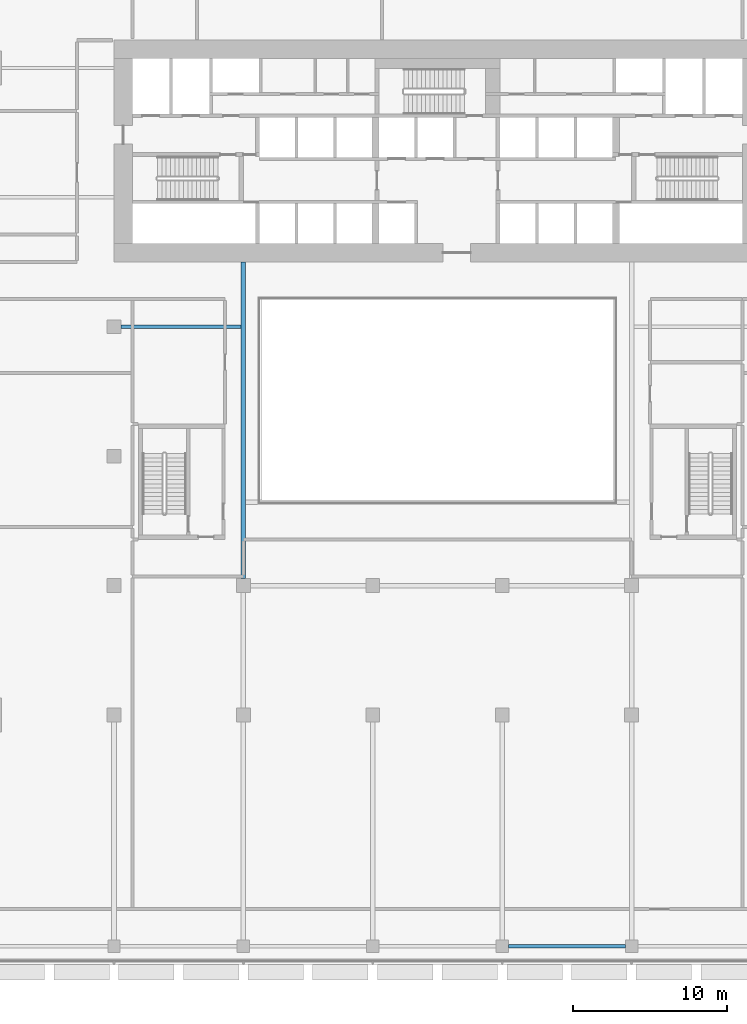
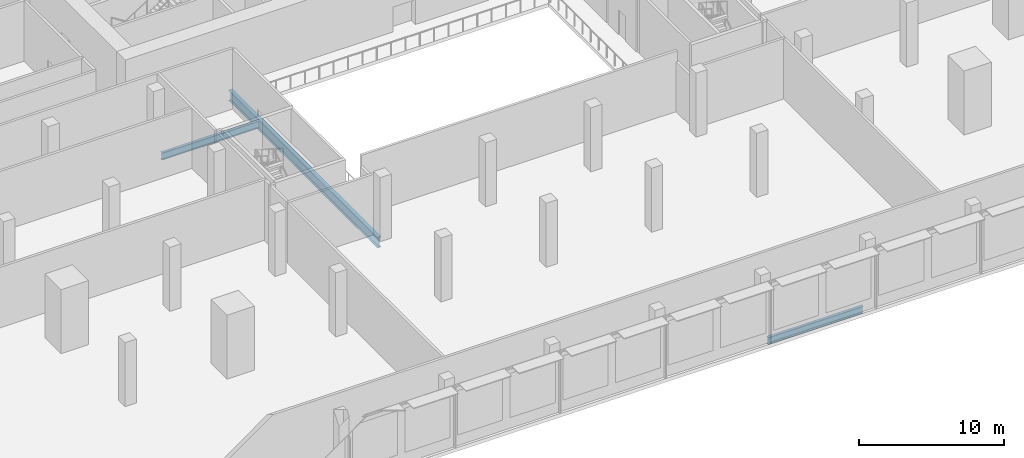
# One storey, part 10 of 39: 3 beams.
"""IFC4 building model written with IfcOpenShell, lengths in metres."""

from ifc_helpers import new_model, si_unit, direction, frame, origin, origin_2d, place, context, subcontext, project, spatial, i_section, extrude, material, material_profile, profile_set, type_object, element, save


model = new_model("IFC4")

# Units and contexts
model_context = context("Model", 3, precision=1e-05, world=origin(), true_north=direction((0.0, 1.0)))
body_context = subcontext(model_context, "Body", "Model", "MODEL_VIEW")
ifc_project = project(units=[si_unit("LENGTHUNIT", "METRE"), si_unit("AREAUNIT", "SQUARE_METRE"), si_unit("VOLUMEUNIT", "CUBIC_METRE"), si_unit("PLANEANGLEUNIT", "RADIAN"), si_unit("MASSUNIT", "GRAM", prefix="KILO")], contexts=[model_context])

# Site, building, storey
site_placement = place(None, origin())
site = spatial("IfcSite", under=ifc_project, at=site_placement, CompositionType="ELEMENT")
building_placement = place(site_placement, origin())
building = spatial("IfcBuilding", under=site, at=building_placement, Name="Saffron Gate Tower", CompositionType="ELEMENT")
storey_placement = place(building_placement, frame((0.0, 0.0, 9.0)))
storey = spatial("IfcBuildingStorey", under=building, at=storey_placement, Name="L01", CompositionType="ELEMENT", Elevation=9.0)

# Beams
ifc_material = material(Name="Structural steel S355", Category="steel")
ifc_material_profile_1 = material_profile(ifc_material, i_section(OverallWidth=0.219970703125, OverallDepth=0.60009765625, WebThickness=0.011962890625, FlangeThickness=0.01904296875, FilletRadius=0.02392578125, at=origin_2d()))
ifc_profile_set_1 = profile_set([ifc_material_profile_1], Name="Structural steel S355")
beam_type_1 = type_object("IfcBeamType", Name="B15 IPE 600", PredefinedType="BEAM", material=ifc_profile_set_1)
beam_1_placement = place(storey_placement, frame((67.050048828125, 57.0, -0.60009765625), z_axis=(1.0, 0.0, 0.0), x_axis=(0.0, 1.0, 0.0)))
element("IfcBeam", 1, at=beam_1_placement, inside=storey, type_object=beam_type_1, Name="B15 CORE TIE BEAM", PredefinedType="BEAM", context=body_context, shape_type="SweptSolid", body=[
    extrude(i_section(OverallWidth=0.219970703125, OverallDepth=0.60009765625, WebThickness=0.011962890625, FlangeThickness=0.01904296875, FilletRadius=0.02392578125, at=origin_2d()), origin(), (0.0, 0.0, 1.0), 7.800048828125),
])
beam_2_placement = place(storey_placement, frame((92.199951171875, 16.800048828125, -0.60009765625), z_axis=(1.0, 0.0, 0.0), x_axis=(0.0, 1.0, 0.0)))
element("IfcBeam", 2, at=beam_2_placement, inside=storey, type_object=beam_type_1, Name="B15 PODIUM EDGE BEAM", PredefinedType="BEAM", context=body_context, shape_type="SweptSolid", body=[
    extrude(i_section(OverallWidth=0.219970703125, OverallDepth=0.60009765625, WebThickness=0.011962890625, FlangeThickness=0.01904296875, FilletRadius=0.02392578125, at=origin_2d()), origin(), (0.0, 0.0, 1.0), 7.60009765625),
])
ifc_material_profile_2 = material_profile(ifc_material, i_section(OverallWidth=0.300048828125, OverallDepth=0.89990234375, WebThickness=0.0185546875, FlangeThickness=0.034912109375, FilletRadius=0.030029296875, at=origin_2d()))
ifc_profile_set_2 = profile_set([ifc_material_profile_2], Name="Structural steel S355")
beam_type_2 = type_object("IfcBeamType", Name="B20 HEB 900", PredefinedType="BEAM", material=ifc_profile_set_2)
beam_3_placement = place(storey_placement, frame((75.0, 40.64990234375, -0.75), z_axis=(0.0, 1.0, 0.0), x_axis=(-1.0, 0.0, 0.0)))
element("IfcBeam", 3, at=beam_3_placement, inside=storey, type_object=beam_type_2, Name="B20 ATRIUM GIRDER", PredefinedType="BEAM", context=body_context, shape_type="SweptSolid", body=[
    extrude(i_section(OverallWidth=0.300048828125, OverallDepth=0.89990234375, WebThickness=0.0185546875, FlangeThickness=0.034912109375, FilletRadius=0.030029296875, at=origin_2d()), origin(), (0.0, 0.0, 1.0), 20.550048828125),
])

save(model, "model.ifc")
